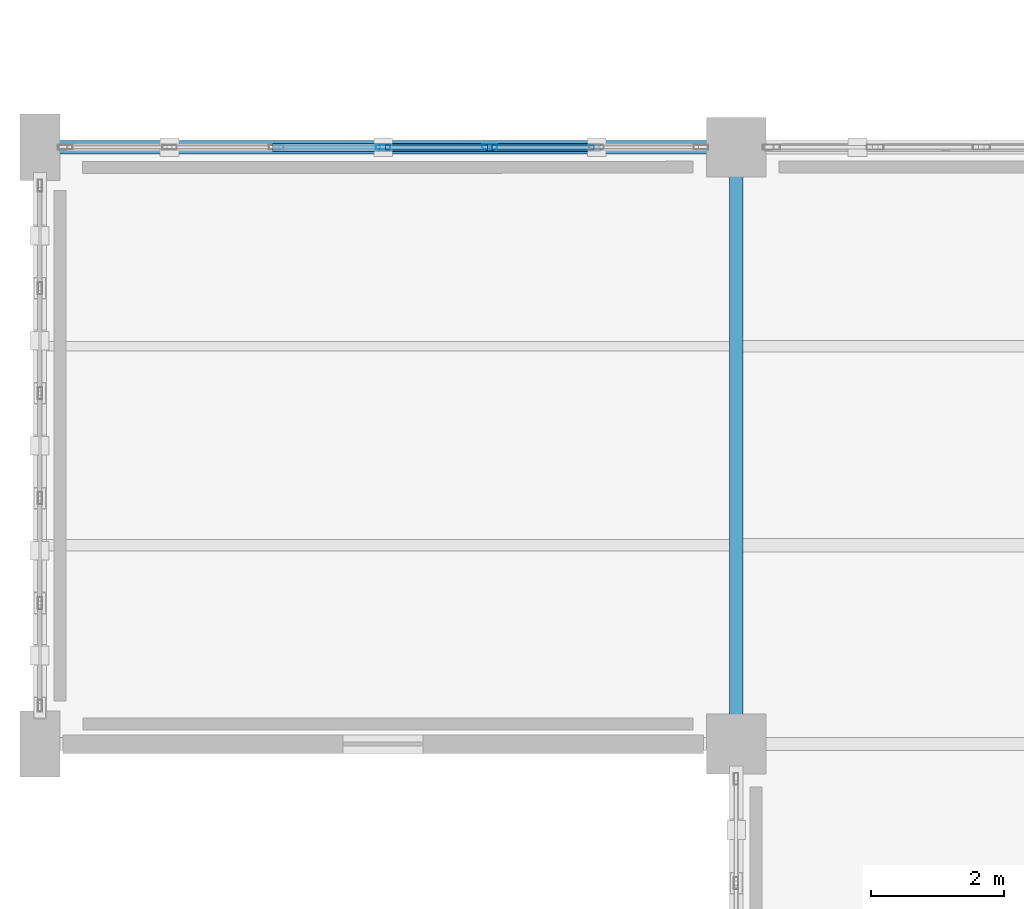
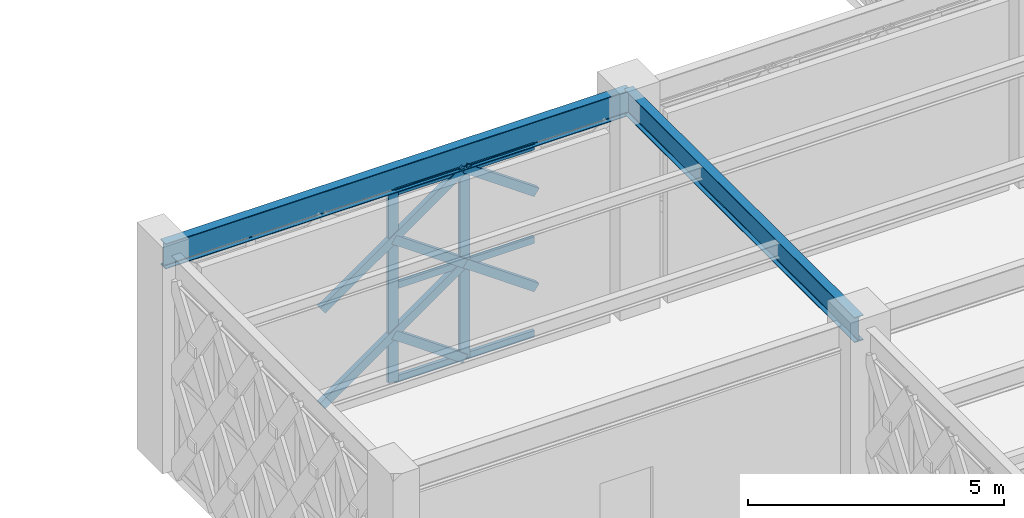
# One storey, part 15 of 166: 14 members, 2 beams, 1 element without a shape of its own.
"""IFC4 building model written with IfcOpenShell, lengths in metres."""

from ifc_helpers import new_model, si_unit, direction, frame, origin, origin_2d, place, context, subcontext, project, spatial, hollow_rectangle, i_section, extrude, material, material_profile, profile_set, type_object, element, aggregate, save


model = new_model("IFC4")

# Units and contexts
model_context = context("Model", 3, precision=1e-05, world=origin(), true_north=direction((0.0, 1.0)))
body_context = subcontext(model_context, "Body", "Model", "MODEL_VIEW")
ifc_project = project(units=[si_unit("LENGTHUNIT", "METRE"), si_unit("AREAUNIT", "SQUARE_METRE"), si_unit("VOLUMEUNIT", "CUBIC_METRE"), si_unit("PLANEANGLEUNIT", "RADIAN"), si_unit("MASSUNIT", "GRAM", prefix="KILO")], contexts=[model_context])

# Site, building, storey
site_placement = place(None, origin())
site = spatial("IfcSite", under=ifc_project, at=site_placement, CompositionType="ELEMENT")
building_placement = place(site_placement, origin())
building = spatial("IfcBuilding", under=site, at=building_placement, Name="Haizhuo Lancet Aquarium", CompositionType="ELEMENT")
storey_placement = place(building_placement, frame((0.0, 0.0, 5.39990234375)))
storey = spatial("IfcBuildingStorey", under=building, at=storey_placement, Name="L01", CompositionType="ELEMENT", Elevation=5.39990234375)

# Beams
ifc_material_1 = material(Name="Steel S355", Category="steel")
ifc_material_profile_1 = material_profile(ifc_material_1, i_section(OverallWidth=0.199951171875, OverallDepth=0.60009765625, WebThickness=0.010986328125, FlangeThickness=0.01708984375, FilletRadius=0.02197265625, at=origin_2d()), Name="HN 600x200x11x17")
ifc_profile_set_1 = profile_set([ifc_material_profile_1], Name="Steel S355")
beam_type = type_object("IfcBeamType", Name="BM-ST-HN600", PredefinedType="BEAM", material=ifc_profile_set_1)
beam_1_placement = place(storey_placement, frame((-82.5, -9.0, 4.840087890625), z_axis=(1.0, 0.0, 0.0), x_axis=(0.0, 1.0, 0.0)))
element("IfcBeam", 1, at=beam_1_placement, inside=storey, type_object=beam_type, Name="L01 V6 primary girder BM-L01-V6-003", PredefinedType="BEAM", context=body_context, shape_type="SweptSolid", body=[
    extrude(i_section(OverallWidth=0.199951171875, OverallDepth=0.60009765625, WebThickness=0.010986328125, FlangeThickness=0.01708984375, FilletRadius=0.02197265625, at=origin_2d()), origin(), (0.0, 0.0, 1.0), 10.5),
])
beam_2_placement = place(storey_placement, frame((-72.0, -18.0, 4.840087890625), z_axis=(0.0, 1.0, 0.0), x_axis=(-1.0, 0.0, 0.0)))
element("IfcBeam", 2, at=beam_2_placement, inside=storey, type_object=beam_type, Name="L01 V6 primary girder BM-L01-V6-006", PredefinedType="BEAM", context=body_context, shape_type="SweptSolid", body=[
    extrude(i_section(OverallWidth=0.199951171875, OverallDepth=0.60009765625, WebThickness=0.010986328125, FlangeThickness=0.01708984375, FilletRadius=0.02197265625, at=origin_2d()), origin(), (0.0, 0.0, 1.0), 9.0),
])

# Curtain wall, members
ifc_material_2 = material(Name="Aluminium 6063-T6", Category="aluminium")
curtain_wall_type = type_object("IfcCurtainWallType", Name="CWO-9660x4540", PredefinedType="NOTDEFINED", material=ifc_material_2)
curtain_wall_placement = place(storey_placement, origin())
curtain_wall = element("IfcCurtainWall", 3, at=curtain_wall_placement, inside=storey, type_object=curtain_wall_type, Name="L01 curtain wall CW-V6-L01-203", PredefinedType="NOTDEFINED")
ifc_material_profile_2 = material_profile(ifc_material_2, hollow_rectangle(XDim=0.074951171875, YDim=0.219970703125, WallThickness=0.0048828125, at=origin_2d()), Name="ALU-M 75x220x5")
ifc_profile_set_2 = profile_set([ifc_material_profile_2], Name="Aluminium 6063-T6")
member_type_1 = type_object("IfcMemberType", Name="CW-MUL-2", PredefinedType="MULLION", material=ifc_profile_set_2)
member_1_placement = place(storey_placement, frame((-77.324951171875, -9.0, 0.0), z_axis=(0.0, 0.0, 1.0), x_axis=(0.0, 1.0, 0.0)))
member_1 = element("IfcMember", 4, at=member_1_placement, type_object=member_type_1, Name="CWO-96x45 mullion 4", PredefinedType="MULLION", context=body_context, shape_type="SweptSolid", body=[
    extrude(hollow_rectangle(XDim=0.074951171875, YDim=0.219970703125, WallThickness=0.0048828125, at=origin_2d()), origin(), (0.0, 0.0, 1.0), 4.5400390625),
])
member_2_placement = place(storey_placement, frame((-75.715087890625, -9.0, 0.0), z_axis=(0.0, 0.0, 1.0), x_axis=(0.0, 1.0, 0.0)))
member_2 = element("IfcMember", 5, at=member_2_placement, type_object=member_type_1, Name="CWO-96x45 mullion 5", PredefinedType="MULLION", context=body_context, shape_type="SweptSolid", body=[
    extrude(hollow_rectangle(XDim=0.074951171875, YDim=0.219970703125, WallThickness=0.0048828125, at=origin_2d()), origin(), (0.0, 0.0, 1.0), 4.5400390625),
])
ifc_material_profile_3 = material_profile(ifc_material_2, hollow_rectangle(XDim=0.074951171875, YDim=0.159912109375, WallThickness=0.00390625, at=origin_2d()), Name="ALU-T 75x160x4")
ifc_profile_set_3 = profile_set([ifc_material_profile_3], Name="Aluminium 6063-T6")
member_type_2 = type_object("IfcMemberType", Name="CW-TRN-2", PredefinedType="NOTDEFINED", material=ifc_profile_set_3)
member_3_placement = place(storey_placement, frame((-77.2880859375, -9.0, 0.0380859375), z_axis=(1.0, 0.0, 0.0), x_axis=(0.0, 1.0, 0.0)))
member_3 = element("IfcMember", 6, at=member_3_placement, type_object=member_type_2, Name="CWO-96x45 transom 4.1", ObjectType="TRANSOM", PredefinedType="USERDEFINED", context=body_context, shape_type="SweptSolid", body=[
    extrude(hollow_rectangle(XDim=0.074951171875, YDim=0.159912109375, WallThickness=0.00390625, at=origin_2d()), origin(), (0.0, 0.0, 1.0), 1.5361328125),
])
member_4_placement = place(storey_placement, frame((-77.2880859375, -9.0, 2.27001953125), z_axis=(1.0, 0.0, 0.0), x_axis=(0.0, 1.0, 0.0)))
member_4 = element("IfcMember", 7, at=member_4_placement, type_object=member_type_2, Name="CWO-96x45 transom 4.2", ObjectType="TRANSOM", PredefinedType="USERDEFINED", context=body_context, shape_type="SweptSolid", body=[
    extrude(hollow_rectangle(XDim=0.074951171875, YDim=0.159912109375, WallThickness=0.00390625, at=origin_2d()), origin(), (0.0, 0.0, 1.0), 1.5361328125),
])
member_5_placement = place(storey_placement, frame((-77.2880859375, -9.0, 4.502197265625), z_axis=(1.0, 0.0, 0.0), x_axis=(0.0, 1.0, 0.0)))
member_5 = element("IfcMember", 8, at=member_5_placement, type_object=member_type_2, Name="CWO-96x45 transom 4.3", ObjectType="TRANSOM", PredefinedType="USERDEFINED", context=body_context, shape_type="SweptSolid", body=[
    extrude(hollow_rectangle(XDim=0.074951171875, YDim=0.159912109375, WallThickness=0.00390625, at=origin_2d()), origin(), (0.0, 0.0, 1.0), 1.5361328125),
])
member_6_placement = place(storey_placement, frame((-75.677978515625, -9.0, 0.0380859375), z_axis=(1.0, 0.0, 0.0), x_axis=(0.0, 1.0, 0.0)))
member_6 = element("IfcMember", 9, at=member_6_placement, type_object=member_type_2, Name="CWO-96x45 transom 5.1", ObjectType="TRANSOM", PredefinedType="USERDEFINED", context=body_context, shape_type="SweptSolid", body=[
    extrude(hollow_rectangle(XDim=0.074951171875, YDim=0.159912109375, WallThickness=0.00390625, at=origin_2d()), origin(), (0.0, 0.0, 1.0), 1.535888671875),
])
member_7_placement = place(storey_placement, frame((-75.677978515625, -9.0, 2.27001953125), z_axis=(1.0, 0.0, 0.0), x_axis=(0.0, 1.0, 0.0)))
member_7 = element("IfcMember", 10, at=member_7_placement, type_object=member_type_2, Name="CWO-96x45 transom 5.2", ObjectType="TRANSOM", PredefinedType="USERDEFINED", context=body_context, shape_type="SweptSolid", body=[
    extrude(hollow_rectangle(XDim=0.074951171875, YDim=0.159912109375, WallThickness=0.00390625, at=origin_2d()), origin(), (0.0, 0.0, 1.0), 1.535888671875),
])
member_8_placement = place(storey_placement, frame((-75.677978515625, -9.0, 4.502197265625), z_axis=(1.0, 0.0, 0.0), x_axis=(0.0, 1.0, 0.0)))
member_8 = element("IfcMember", 11, at=member_8_placement, type_object=member_type_2, Name="CWO-96x45 transom 5.3", ObjectType="TRANSOM", PredefinedType="USERDEFINED", context=body_context, shape_type="SweptSolid", body=[
    extrude(hollow_rectangle(XDim=0.074951171875, YDim=0.159912109375, WallThickness=0.00390625, at=origin_2d()), origin(), (0.0, 0.0, 1.0), 1.535888671875),
])
aggregate(curtain_wall, [member_1, member_2, member_3, member_4, member_5, member_6, member_7, member_8])

# Members
ifc_material_profile_4 = material_profile(ifc_material_1, hollow_rectangle(XDim=0.1201171875, YDim=0.199951171875, WallThickness=0.008056640625, at=origin_2d()), Name="RHS 120x200x8")
ifc_profile_set_4 = profile_set([ifc_material_profile_4], Name="Steel S355")
member_type_3 = type_object("IfcMemberType", Name="MEM-LB-RHS120x200", PredefinedType="BRACE", material=ifc_profile_set_4)
member_9_placement = place(storey_placement, frame((-78.93505859375, -9.0, 0.0), z_axis=(0.817314629678, 0.0, 0.576191631416), x_axis=(0.0, 1.0, 0.0)))
element("IfcMember", 12, at=member_9_placement, inside=storey, type_object=member_type_3, Name="Gothic lancet continuous diagonal brace CW-V6-L01-203 3A", PredefinedType="BRACE", context=body_context, shape_type="SweptSolid", body=[
    extrude(hollow_rectangle(XDim=0.1201171875, YDim=0.199951171875, WallThickness=0.008056640625, at=origin_2d()), origin(), (0.0, 0.0, 1.0), 3.939697265625),
])
member_10_placement = place(storey_placement, frame((-75.715087890625, -9.0, 0.0), z_axis=(-0.817294054467, 0.0, 0.576220815775), x_axis=(0.0, -1.0, 0.0)))
element("IfcMember", 13, at=member_10_placement, inside=storey, type_object=member_type_3, Name="Gothic lancet split diagonal brace CW-V6-L01-203 3B1", PredefinedType="BRACE", context=body_context, shape_type="SweptSolid", body=[
    extrude(hollow_rectangle(XDim=0.1201171875, YDim=0.199951171875, WallThickness=0.008056640625, at=origin_2d()), origin(), (0.0, 0.0, 1.0), 1.9697265625),
])
member_11_placement = place(storey_placement, frame((-78.93505859375, -9.0, 2.27001953125), z_axis=(0.817314629678, 0.0, 0.576191631416), x_axis=(0.0, 1.0, 0.0)))
element("IfcMember", 14, at=member_11_placement, inside=storey, type_object=member_type_3, Name="Gothic lancet continuous diagonal brace CW-V6-L01-203 4A", PredefinedType="BRACE", context=body_context, shape_type="SweptSolid", body=[
    extrude(hollow_rectangle(XDim=0.1201171875, YDim=0.199951171875, WallThickness=0.008056640625, at=origin_2d()), origin(), (0.0, 0.0, 1.0), 3.939697265625),
])
member_12_placement = place(storey_placement, frame((-75.715087890625, -9.0, 2.27001953125), z_axis=(-0.817294054467, 0.0, 0.576220815775), x_axis=(0.0, -1.0, 0.0)))
element("IfcMember", 15, at=member_12_placement, inside=storey, type_object=member_type_3, Name="Gothic lancet split diagonal brace CW-V6-L01-203 4B1", PredefinedType="BRACE", context=body_context, shape_type="SweptSolid", body=[
    extrude(hollow_rectangle(XDim=0.1201171875, YDim=0.199951171875, WallThickness=0.008056640625, at=origin_2d()), origin(), (0.0, 0.0, 1.0), 1.9697265625),
])
for number, where, z_axis, x_axis, name in (
    (16, (-74.10498046875, -9.0, 1.135009765625), (-0.817335201763, 0.0, 0.576162449279), (0.0, -1.0, 0.0), "Gothic lancet split diagonal brace CW-V6-L01-203 5B2"),
    (17, (-74.10498046875, -9.0, 3.405029296875), (-0.817335201763, 0.0, 0.576162449279), (0.0, -1.0, 0.0), "Gothic lancet split diagonal brace CW-V6-L01-203 6B2"),
):
    element("IfcMember", number, at=place(storey_placement, frame(where, z_axis=z_axis, x_axis=x_axis)), inside=storey, type_object=member_type_3, Name=name, PredefinedType="BRACE", context=body_context, shape_type="SweptSolid", body=[
        extrude(hollow_rectangle(XDim=0.1201171875, YDim=0.199951171875, WallThickness=0.008056640625, at=origin_2d()), origin(), (0.0, 0.0, 1.0), 1.969970703125),
    ])

save(model, "model.ifc")
